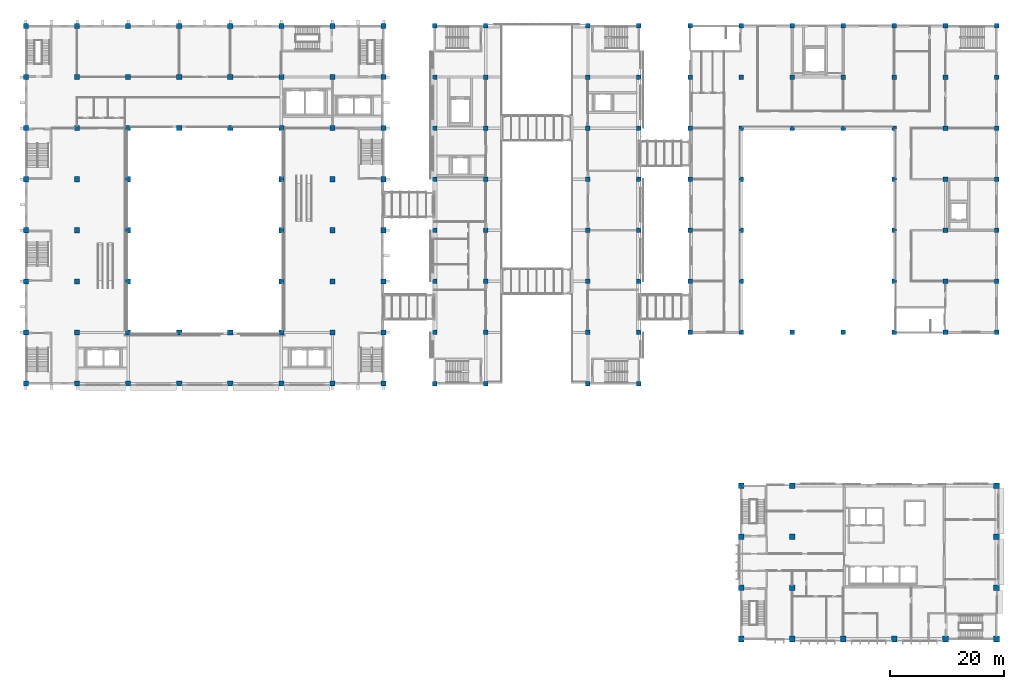
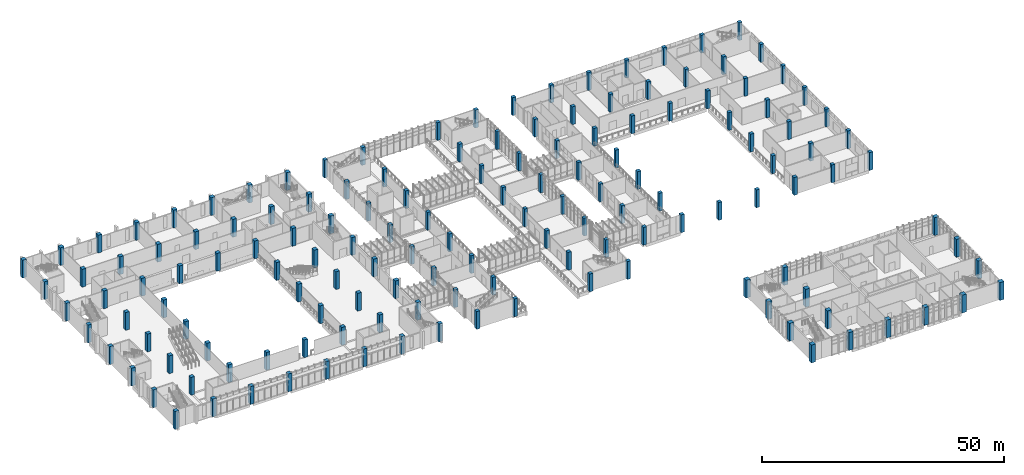
# One storey, part 1 of 88: 148 columns.
"""IFC4 building model written with IfcOpenShell, lengths in metres."""

from ifc_helpers import new_model, si_unit, direction, frame, origin, origin_2d, place, context, subcontext, project, spatial, rectangle, extrude, material, material_profile, profile_set, type_object, element, save


model = new_model("IFC4")

# Units and contexts
model_context = context("Model", 3, precision=1e-05, world=origin(), true_north=direction((0.0, 1.0)))
body_context = subcontext(model_context, "Body", "Model", "MODEL_VIEW")
ifc_project = project(units=[si_unit("LENGTHUNIT", "METRE"), si_unit("AREAUNIT", "SQUARE_METRE"), si_unit("VOLUMEUNIT", "CUBIC_METRE"), si_unit("PLANEANGLEUNIT", "RADIAN"), si_unit("MASSUNIT", "GRAM", prefix="KILO")], contexts=[model_context])

# Site, building, storey
site_placement = place(None, origin())
site = spatial("IfcSite", under=ifc_project, at=site_placement, CompositionType="ELEMENT")
building_placement = place(site_placement, origin())
building = spatial("IfcBuilding", under=site, at=building_placement, Name="Guidao Yard Department Store", CompositionType="ELEMENT")
storey_placement = place(building_placement, frame((0.0, 0.0, 6.0)))
storey = spatial("IfcBuildingStorey", under=building, at=storey_placement, Name="L01", CompositionType="ELEMENT", Elevation=6.0)

# Columns
ifc_material_1 = material(Name="Concrete C60", Category="concrete")
ifc_material_profile_1 = material_profile(ifc_material_1, rectangle(XDim=1.0, YDim=1.0, at=origin_2d()), Name="COL 1000x1000")
ifc_profile_set_1 = profile_set([ifc_material_profile_1], Name="Concrete C60")
column_type_1 = type_object("IfcColumnType", Name="Column 1000x1000 C60", PredefinedType="COLUMN", material=ifc_profile_set_1)
for number, where, z_axis, x_axis, name in (
    (1, (126.0, 0.0, 0.0), (0.0, 0.0, 1.0), (1.0, 0.0, 0.0), "Column 15/A L01"),
    (2, (135.0, 0.0, 0.0), (0.0, 0.0, 1.0), (1.0, 0.0, 0.0), "Column 16/A L01"),
    (3, (144.0, 0.0, 0.0), (0.0, 0.0, 1.0), (1.0, 0.0, 0.0), "Column 17/A L01"),
    (4, (153.0, 0.0, 0.0), (0.0, 0.0, 1.0), (1.0, 0.0, 0.0), "Column 18/A L01"),
    (5, (162.0, 0.0, 0.0), (0.0, 0.0, 1.0), (1.0, 0.0, 0.0), "Column 19/A L01"),
    (6, (171.0, 0.0, 0.0), (0.0, 0.0, 1.0), (1.0, 0.0, 0.0), "Column 20/A L01"),
    (7, (126.0, 9.0, 0.0), (0.0, 0.0, 1.0), (1.0, 0.0, 0.0), "Column 15/B L01"),
    (8, (135.0, 9.0, 0.0), (0.0, 0.0, 1.0), (1.0, 0.0, 0.0), "Column 16/B L01"),
    (9, (171.0, 9.0, 0.0), (0.0, 0.0, 1.0), (1.0, 0.0, 0.0), "Column 20/B L01"),
    (10, (126.0, 18.0, 0.0), (0.0, 0.0, 1.0), (1.0, 0.0, 0.0), "Column 15/C L01"),
    (11, (135.0, 18.0, 0.0), (0.0, 0.0, 1.0), (1.0, 0.0, 0.0), "Column 16/C L01"),
    (12, (171.0, 18.0, 0.0), (0.0, 0.0, 1.0), (1.0, 0.0, 0.0), "Column 20/C L01"),
    (13, (126.0, 27.0, 0.0), (0.0, 0.0, 1.0), (1.0, 0.0, 0.0), "Column 15/D L01"),
    (14, (135.0, 27.0, 0.0), (0.0, 0.0, 1.0), (1.0, 0.0, 0.0), "Column 16/D L01"),
    (15, (171.0, 27.0, 0.0), (0.0, 0.0, 1.0), (1.0, 0.0, 0.0), "Column 20/D L01"),
):
    element("IfcColumn", number, at=place(storey_placement, frame(where, z_axis=z_axis, x_axis=x_axis)), inside=storey, type_object=column_type_1, Name=name, PredefinedType="COLUMN", context=body_context, shape_type="SweptSolid", body=[
        extrude(rectangle(XDim=1.0, YDim=1.0, at=origin_2d()), origin(), (0.0, 0.0, 1.0), 4.5),
    ])
ifc_material_2 = material(Name="Concrete C40", Category="concrete")
ifc_material_profile_2 = material_profile(ifc_material_2, rectangle(XDim=0.800048828125, YDim=0.800048828125, at=origin_2d()), Name="COL 800x800")
ifc_profile_set_2 = profile_set([ifc_material_profile_2], Name="Concrete C40")
column_type_2 = type_object("IfcColumnType", Name="Column 800x800 C40", PredefinedType="COLUMN", material=ifc_profile_set_2)
for number, where, z_axis, x_axis, name in (
    (16, (72.0, 45.0, 0.0), (0.0, 0.0, 1.0), (1.0, 0.0, 0.0), "Column 9/F L01"),
    (17, (81.0, 45.0, 0.0), (0.0, 0.0, 1.0), (1.0, 0.0, 0.0), "Column 10/F L01"),
    (18, (99.0, 45.0, 0.0), (0.0, 0.0, 1.0), (1.0, 0.0, 0.0), "Column 12/F L01"),
    (19, (108.0, 45.0, 0.0), (0.0, 0.0, 1.0), (1.0, 0.0, 0.0), "Column 13/F L01"),
    (20, (72.0, 54.0, 0.0), (0.0, 0.0, 1.0), (1.0, 0.0, 0.0), "Column 9/G L01"),
    (21, (81.0, 54.0, 0.0), (0.0, 0.0, 1.0), (1.0, 0.0, 0.0), "Column 10/G L01"),
    (22, (99.0, 54.0, 0.0), (0.0, 0.0, 1.0), (1.0, 0.0, 0.0), "Column 12/G L01"),
    (23, (108.0, 54.0, 0.0), (0.0, 0.0, 1.0), (1.0, 0.0, 0.0), "Column 13/G L01"),
    (24, (117.0, 54.0, 0.0), (0.0, 0.0, 1.0), (1.0, 0.0, 0.0), "Column 14/G L01"),
    (25, (126.0, 54.0, 0.0), (0.0, 0.0, 1.0), (1.0, 0.0, 0.0), "Column 15/G L01"),
    (26, (135.0, 54.0, 0.0), (0.0, 0.0, 1.0), (1.0, 0.0, 0.0), "Column 16/G L01"),
    (27, (144.0, 54.0, 0.0), (0.0, 0.0, 1.0), (1.0, 0.0, 0.0), "Column 17/G L01"),
    (28, (153.0, 54.0, 0.0), (0.0, 0.0, 1.0), (1.0, 0.0, 0.0), "Column 18/G L01"),
    (29, (162.0, 54.0, 0.0), (0.0, 0.0, 1.0), (1.0, 0.0, 0.0), "Column 19/G L01"),
    (30, (171.0, 54.0, 0.0), (0.0, 0.0, 1.0), (1.0, 0.0, 0.0), "Column 20/G L01"),
    (31, (72.0, 63.0, 0.0), (0.0, 0.0, 1.0), (1.0, 0.0, 0.0), "Column 9/H L01"),
    (32, (81.0, 63.0, 0.0), (0.0, 0.0, 1.0), (1.0, 0.0, 0.0), "Column 10/H L01"),
    (33, (99.0, 63.0, 0.0), (0.0, 0.0, 1.0), (1.0, 0.0, 0.0), "Column 12/H L01"),
    (34, (108.0, 63.0, 0.0), (0.0, 0.0, 1.0), (1.0, 0.0, 0.0), "Column 13/H L01"),
    (35, (117.0, 63.0, 0.0), (0.0, 0.0, 1.0), (1.0, 0.0, 0.0), "Column 14/H L01"),
    (36, (126.0, 63.0, 0.0), (0.0, 0.0, 1.0), (1.0, 0.0, 0.0), "Column 15/H L01"),
    (37, (153.0, 63.0, 0.0), (0.0, 0.0, 1.0), (1.0, 0.0, 0.0), "Column 18/H L01"),
    (38, (162.0, 63.0, 0.0), (0.0, 0.0, 1.0), (1.0, 0.0, 0.0), "Column 19/H L01"),
    (39, (171.0, 63.0, 0.0), (0.0, 0.0, 1.0), (1.0, 0.0, 0.0), "Column 20/H L01"),
    (40, (72.0, 72.0, 0.0), (0.0, 0.0, 1.0), (1.0, 0.0, 0.0), "Column 9/J L01"),
    (41, (81.0, 72.0, 0.0), (0.0, 0.0, 1.0), (1.0, 0.0, 0.0), "Column 10/J L01"),
    (42, (99.0, 72.0, 0.0), (0.0, 0.0, 1.0), (1.0, 0.0, 0.0), "Column 12/J L01"),
    (43, (108.0, 72.0, 0.0), (0.0, 0.0, 1.0), (1.0, 0.0, 0.0), "Column 13/J L01"),
    (44, (117.0, 72.0, 0.0), (0.0, 0.0, 1.0), (1.0, 0.0, 0.0), "Column 14/J L01"),
    (45, (126.0, 72.0, 0.0), (0.0, 0.0, 1.0), (1.0, 0.0, 0.0), "Column 15/J L01"),
    (46, (153.0, 72.0, 0.0), (0.0, 0.0, 1.0), (1.0, 0.0, 0.0), "Column 18/J L01"),
    (47, (162.0, 72.0, 0.0), (0.0, 0.0, 1.0), (1.0, 0.0, 0.0), "Column 19/J L01"),
    (48, (171.0, 72.0, 0.0), (0.0, 0.0, 1.0), (1.0, 0.0, 0.0), "Column 20/J L01"),
    (49, (72.0, 81.0, 0.0), (0.0, 0.0, 1.0), (1.0, 0.0, 0.0), "Column 9/K L01"),
    (50, (81.0, 81.0, 0.0), (0.0, 0.0, 1.0), (1.0, 0.0, 0.0), "Column 10/K L01"),
    (51, (99.0, 81.0, 0.0), (0.0, 0.0, 1.0), (1.0, 0.0, 0.0), "Column 12/K L01"),
    (52, (108.0, 81.0, 0.0), (0.0, 0.0, 1.0), (1.0, 0.0, 0.0), "Column 13/K L01"),
    (53, (117.0, 81.0, 0.0), (0.0, 0.0, 1.0), (1.0, 0.0, 0.0), "Column 14/K L01"),
    (54, (126.0, 81.0, 0.0), (0.0, 0.0, 1.0), (1.0, 0.0, 0.0), "Column 15/K L01"),
    (55, (153.0, 81.0, 0.0), (0.0, 0.0, 1.0), (1.0, 0.0, 0.0), "Column 18/K L01"),
    (56, (162.0, 81.0, 0.0), (0.0, 0.0, 1.0), (1.0, 0.0, 0.0), "Column 19/K L01"),
    (57, (171.0, 81.0, 0.0), (0.0, 0.0, 1.0), (1.0, 0.0, 0.0), "Column 20/K L01"),
    (58, (72.0, 90.0, 0.0), (0.0, 0.0, 1.0), (1.0, 0.0, 0.0), "Column 9/L L01"),
    (59, (81.0, 90.0, 0.0), (0.0, 0.0, 1.0), (1.0, 0.0, 0.0), "Column 10/L L01"),
    (60, (99.0, 90.0, 0.0), (0.0, 0.0, 1.0), (1.0, 0.0, 0.0), "Column 12/L L01"),
    (61, (108.0, 90.0, 0.0), (0.0, 0.0, 1.0), (1.0, 0.0, 0.0), "Column 13/L L01"),
    (62, (117.0, 90.0, 0.0), (0.0, 0.0, 1.0), (1.0, 0.0, 0.0), "Column 14/L L01"),
    (63, (126.0, 90.0, 0.0), (0.0, 0.0, 1.0), (1.0, 0.0, 0.0), "Column 15/L L01"),
    (64, (135.0, 90.0, 0.0), (0.0, 0.0, 1.0), (1.0, 0.0, 0.0), "Column 16/L L01"),
    (65, (144.0, 90.0, 0.0), (0.0, 0.0, 1.0), (1.0, 0.0, 0.0), "Column 17/L L01"),
    (66, (153.0, 90.0, 0.0), (0.0, 0.0, 1.0), (1.0, 0.0, 0.0), "Column 18/L L01"),
    (67, (162.0, 90.0, 0.0), (0.0, 0.0, 1.0), (1.0, 0.0, 0.0), "Column 19/L L01"),
    (68, (171.0, 90.0, 0.0), (0.0, 0.0, 1.0), (1.0, 0.0, 0.0), "Column 20/L L01"),
    (69, (72.0, 99.0, 0.0), (0.0, 0.0, 1.0), (1.0, 0.0, 0.0), "Column 9/M L01"),
    (70, (81.0, 99.0, 0.0), (0.0, 0.0, 1.0), (1.0, 0.0, 0.0), "Column 10/M L01"),
    (71, (99.0, 99.0, 0.0), (0.0, 0.0, 1.0), (1.0, 0.0, 0.0), "Column 12/M L01"),
    (72, (108.0, 99.0, 0.0), (0.0, 0.0, 1.0), (1.0, 0.0, 0.0), "Column 13/M L01"),
    (73, (117.0, 99.0, 0.0), (0.0, 0.0, 1.0), (1.0, 0.0, 0.0), "Column 14/M L01"),
    (74, (126.0, 99.0, 0.0), (0.0, 0.0, 1.0), (1.0, 0.0, 0.0), "Column 15/M L01"),
    (75, (135.0, 99.0, 0.0), (0.0, 0.0, 1.0), (1.0, 0.0, 0.0), "Column 16/M L01"),
    (76, (144.0, 99.0, 0.0), (0.0, 0.0, 1.0), (1.0, 0.0, 0.0), "Column 17/M L01"),
    (77, (153.0, 99.0, 0.0), (0.0, 0.0, 1.0), (1.0, 0.0, 0.0), "Column 18/M L01"),
    (78, (162.0, 99.0, 0.0), (0.0, 0.0, 1.0), (1.0, 0.0, 0.0), "Column 19/M L01"),
    (79, (171.0, 99.0, 0.0), (0.0, 0.0, 1.0), (1.0, 0.0, 0.0), "Column 20/M L01"),
    (80, (72.0, 108.0, 0.0), (0.0, 0.0, 1.0), (1.0, 0.0, 0.0), "Column 9/N L01"),
    (81, (81.0, 108.0, 0.0), (0.0, 0.0, 1.0), (1.0, 0.0, 0.0), "Column 10/N L01"),
    (82, (99.0, 108.0, 0.0), (0.0, 0.0, 1.0), (1.0, 0.0, 0.0), "Column 12/N L01"),
    (83, (108.0, 108.0, 0.0), (0.0, 0.0, 1.0), (1.0, 0.0, 0.0), "Column 13/N L01"),
    (84, (117.0, 108.0, 0.0), (0.0, 0.0, 1.0), (1.0, 0.0, 0.0), "Column 14/N L01"),
    (85, (126.0, 108.0, 0.0), (0.0, 0.0, 1.0), (1.0, 0.0, 0.0), "Column 15/N L01"),
    (86, (135.0, 108.0, 0.0), (0.0, 0.0, 1.0), (1.0, 0.0, 0.0), "Column 16/N L01"),
    (87, (144.0, 108.0, 0.0), (0.0, 0.0, 1.0), (1.0, 0.0, 0.0), "Column 17/N L01"),
    (88, (153.0, 108.0, 0.0), (0.0, 0.0, 1.0), (1.0, 0.0, 0.0), "Column 18/N L01"),
    (89, (162.0, 108.0, 0.0), (0.0, 0.0, 1.0), (1.0, 0.0, 0.0), "Column 19/N L01"),
    (90, (171.0, 108.0, 0.0), (0.0, 0.0, 1.0), (1.0, 0.0, 0.0), "Column 20/N L01"),
):
    element("IfcColumn", number, at=place(storey_placement, frame(where, z_axis=z_axis, x_axis=x_axis)), inside=storey, type_object=column_type_2, Name=name, PredefinedType="COLUMN", context=body_context, shape_type="SweptSolid", body=[
        extrude(rectangle(XDim=0.800048828125, YDim=0.800048828125, at=origin_2d()), origin(), (0.0, 0.0, 1.0), 4.5),
    ])
ifc_material_3 = material(Name="Concrete C50", Category="concrete")
ifc_material_profile_3 = material_profile(ifc_material_3, rectangle(XDim=0.89990234375, YDim=0.89990234375, at=origin_2d()), Name="COL 900x900")
ifc_profile_set_3 = profile_set([ifc_material_profile_3], Name="Concrete C50")
column_type_3 = type_object("IfcColumnType", Name="Column 900x900 C50", PredefinedType="COLUMN", material=ifc_profile_set_3)
for number, where, z_axis, x_axis, name in (
    (91, (0.0, 45.0, 0.0), (0.0, 0.0, 1.0), (1.0, 0.0, 0.0), "Column 1/F L01"),
    (92, (9.0, 45.0, 0.0), (0.0, 0.0, 1.0), (1.0, 0.0, 0.0), "Column 2/F L01"),
    (93, (18.0, 45.0, 0.0), (0.0, 0.0, 1.0), (1.0, 0.0, 0.0), "Column 3/F L01"),
    (94, (27.0, 45.0, 0.0), (0.0, 0.0, 1.0), (1.0, 0.0, 0.0), "Column 4/F L01"),
    (95, (36.0, 45.0, 0.0), (0.0, 0.0, 1.0), (1.0, 0.0, 0.0), "Column 5/F L01"),
    (96, (45.0, 45.0, 0.0), (0.0, 0.0, 1.0), (1.0, 0.0, 0.0), "Column 6/F L01"),
    (97, (54.0, 45.0, 0.0), (0.0, 0.0, 1.0), (1.0, 0.0, 0.0), "Column 7/F L01"),
    (98, (63.0, 45.0, 0.0), (0.0, 0.0, 1.0), (1.0, 0.0, 0.0), "Column 8/F L01"),
    (99, (0.0, 54.0, 0.0), (0.0, 0.0, 1.0), (1.0, 0.0, 0.0), "Column 1/G L01"),
    (100, (9.0, 54.0, 0.0), (0.0, 0.0, 1.0), (1.0, 0.0, 0.0), "Column 2/G L01"),
    (101, (18.0, 54.0, 0.0), (0.0, 0.0, 1.0), (1.0, 0.0, 0.0), "Column 3/G L01"),
    (102, (27.0, 54.0, 0.0), (0.0, 0.0, 1.0), (1.0, 0.0, 0.0), "Column 4/G L01"),
    (103, (36.0, 54.0, 0.0), (0.0, 0.0, 1.0), (1.0, 0.0, 0.0), "Column 5/G L01"),
    (104, (45.0, 54.0, 0.0), (0.0, 0.0, 1.0), (1.0, 0.0, 0.0), "Column 6/G L01"),
    (105, (54.0, 54.0, 0.0), (0.0, 0.0, 1.0), (1.0, 0.0, 0.0), "Column 7/G L01"),
    (106, (63.0, 54.0, 0.0), (0.0, 0.0, 1.0), (1.0, 0.0, 0.0), "Column 8/G L01"),
    (107, (0.0, 63.0, 0.0), (0.0, 0.0, 1.0), (1.0, 0.0, 0.0), "Column 1/H L01"),
    (108, (9.0, 63.0, 0.0), (0.0, 0.0, 1.0), (1.0, 0.0, 0.0), "Column 2/H L01"),
    (109, (18.0, 63.0, 0.0), (0.0, 0.0, 1.0), (1.0, 0.0, 0.0), "Column 3/H L01"),
    (110, (45.0, 63.0, 0.0), (0.0, 0.0, 1.0), (1.0, 0.0, 0.0), "Column 6/H L01"),
    (111, (54.0, 63.0, 0.0), (0.0, 0.0, 1.0), (1.0, 0.0, 0.0), "Column 7/H L01"),
    (112, (63.0, 63.0, 0.0), (0.0, 0.0, 1.0), (1.0, 0.0, 0.0), "Column 8/H L01"),
    (113, (0.0, 72.0, 0.0), (0.0, 0.0, 1.0), (1.0, 0.0, 0.0), "Column 1/J L01"),
    (114, (9.0, 72.0, 0.0), (0.0, 0.0, 1.0), (1.0, 0.0, 0.0), "Column 2/J L01"),
    (115, (18.0, 72.0, 0.0), (0.0, 0.0, 1.0), (1.0, 0.0, 0.0), "Column 3/J L01"),
    (116, (45.0, 72.0, 0.0), (0.0, 0.0, 1.0), (1.0, 0.0, 0.0), "Column 6/J L01"),
    (117, (54.0, 72.0, 0.0), (0.0, 0.0, 1.0), (1.0, 0.0, 0.0), "Column 7/J L01"),
    (118, (63.0, 72.0, 0.0), (0.0, 0.0, 1.0), (1.0, 0.0, 0.0), "Column 8/J L01"),
    (119, (0.0, 81.0, 0.0), (0.0, 0.0, 1.0), (1.0, 0.0, 0.0), "Column 1/K L01"),
    (120, (9.0, 81.0, 0.0), (0.0, 0.0, 1.0), (1.0, 0.0, 0.0), "Column 2/K L01"),
    (121, (18.0, 81.0, 0.0), (0.0, 0.0, 1.0), (1.0, 0.0, 0.0), "Column 3/K L01"),
    (122, (45.0, 81.0, 0.0), (0.0, 0.0, 1.0), (1.0, 0.0, 0.0), "Column 6/K L01"),
    (123, (54.0, 81.0, 0.0), (0.0, 0.0, 1.0), (1.0, 0.0, 0.0), "Column 7/K L01"),
    (124, (63.0, 81.0, 0.0), (0.0, 0.0, 1.0), (1.0, 0.0, 0.0), "Column 8/K L01"),
    (125, (0.0, 90.0, 0.0), (0.0, 0.0, 1.0), (1.0, 0.0, 0.0), "Column 1/L L01"),
    (126, (9.0, 90.0, 0.0), (0.0, 0.0, 1.0), (1.0, 0.0, 0.0), "Column 2/L L01"),
    (127, (18.0, 90.0, 0.0), (0.0, 0.0, 1.0), (1.0, 0.0, 0.0), "Column 3/L L01"),
    (128, (27.0, 90.0, 0.0), (0.0, 0.0, 1.0), (1.0, 0.0, 0.0), "Column 4/L L01"),
    (129, (36.0, 90.0, 0.0), (0.0, 0.0, 1.0), (1.0, 0.0, 0.0), "Column 5/L L01"),
    (130, (45.0, 90.0, 0.0), (0.0, 0.0, 1.0), (1.0, 0.0, 0.0), "Column 6/L L01"),
    (131, (54.0, 90.0, 0.0), (0.0, 0.0, 1.0), (1.0, 0.0, 0.0), "Column 7/L L01"),
    (132, (63.0, 90.0, 0.0), (0.0, 0.0, 1.0), (1.0, 0.0, 0.0), "Column 8/L L01"),
    (133, (0.0, 99.0, 0.0), (0.0, 0.0, 1.0), (1.0, 0.0, 0.0), "Column 1/M L01"),
    (134, (9.0, 99.0, 0.0), (0.0, 0.0, 1.0), (1.0, 0.0, 0.0), "Column 2/M L01"),
    (135, (18.0, 99.0, 0.0), (0.0, 0.0, 1.0), (1.0, 0.0, 0.0), "Column 3/M L01"),
    (136, (27.0, 99.0, 0.0), (0.0, 0.0, 1.0), (1.0, 0.0, 0.0), "Column 4/M L01"),
    (137, (36.0, 99.0, 0.0), (0.0, 0.0, 1.0), (1.0, 0.0, 0.0), "Column 5/M L01"),
    (138, (45.0, 99.0, 0.0), (0.0, 0.0, 1.0), (1.0, 0.0, 0.0), "Column 6/M L01"),
    (139, (54.0, 99.0, 0.0), (0.0, 0.0, 1.0), (1.0, 0.0, 0.0), "Column 7/M L01"),
    (140, (63.0, 99.0, 0.0), (0.0, 0.0, 1.0), (1.0, 0.0, 0.0), "Column 8/M L01"),
    (141, (0.0, 108.0, 0.0), (0.0, 0.0, 1.0), (1.0, 0.0, 0.0), "Column 1/N L01"),
    (142, (9.0, 108.0, 0.0), (0.0, 0.0, 1.0), (1.0, 0.0, 0.0), "Column 2/N L01"),
    (143, (18.0, 108.0, 0.0), (0.0, 0.0, 1.0), (1.0, 0.0, 0.0), "Column 3/N L01"),
    (144, (27.0, 108.0, 0.0), (0.0, 0.0, 1.0), (1.0, 0.0, 0.0), "Column 4/N L01"),
    (145, (36.0, 108.0, 0.0), (0.0, 0.0, 1.0), (1.0, 0.0, 0.0), "Column 5/N L01"),
    (146, (45.0, 108.0, 0.0), (0.0, 0.0, 1.0), (1.0, 0.0, 0.0), "Column 6/N L01"),
    (147, (54.0, 108.0, 0.0), (0.0, 0.0, 1.0), (1.0, 0.0, 0.0), "Column 7/N L01"),
    (148, (63.0, 108.0, 0.0), (0.0, 0.0, 1.0), (1.0, 0.0, 0.0), "Column 8/N L01"),
):
    element("IfcColumn", number, at=place(storey_placement, frame(where, z_axis=z_axis, x_axis=x_axis)), inside=storey, type_object=column_type_3, Name=name, PredefinedType="COLUMN", context=body_context, shape_type="SweptSolid", body=[
        extrude(rectangle(XDim=0.89990234375, YDim=0.89990234375, at=origin_2d()), origin(), (0.0, 0.0, 1.0), 4.5),
    ])

save(model, "model.ifc")
